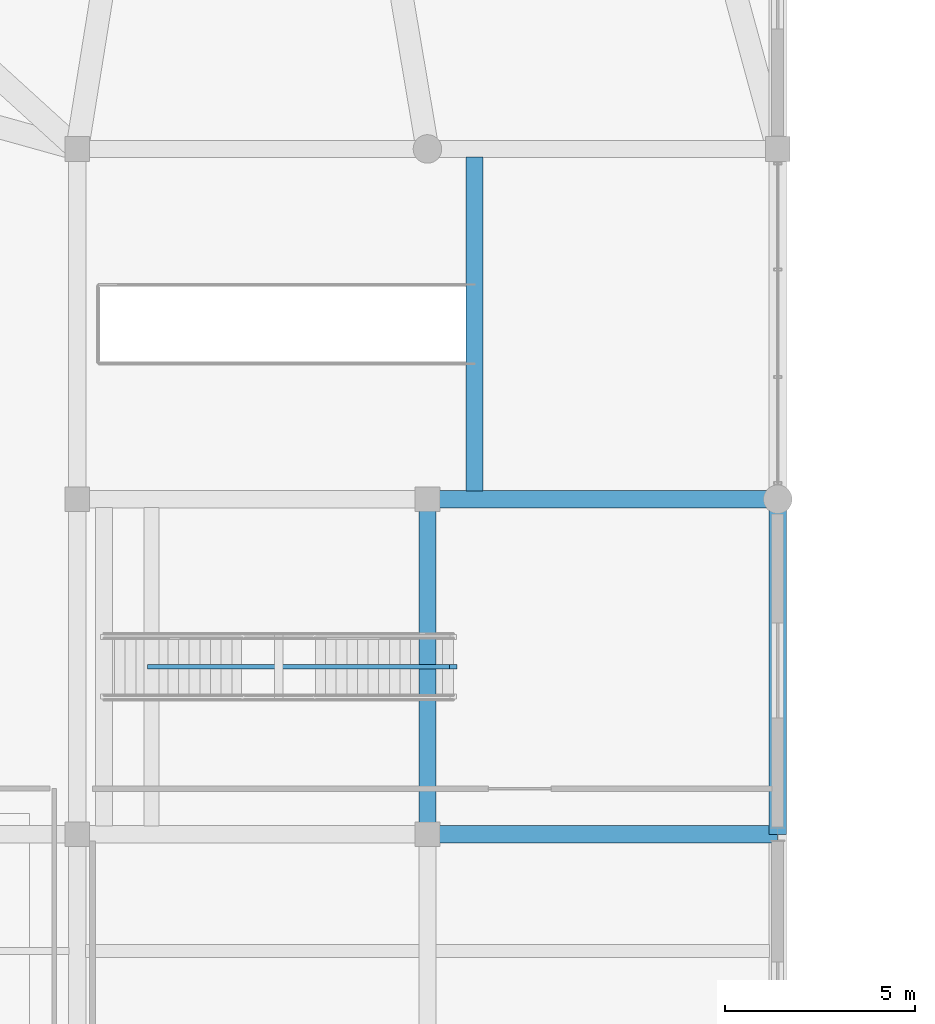
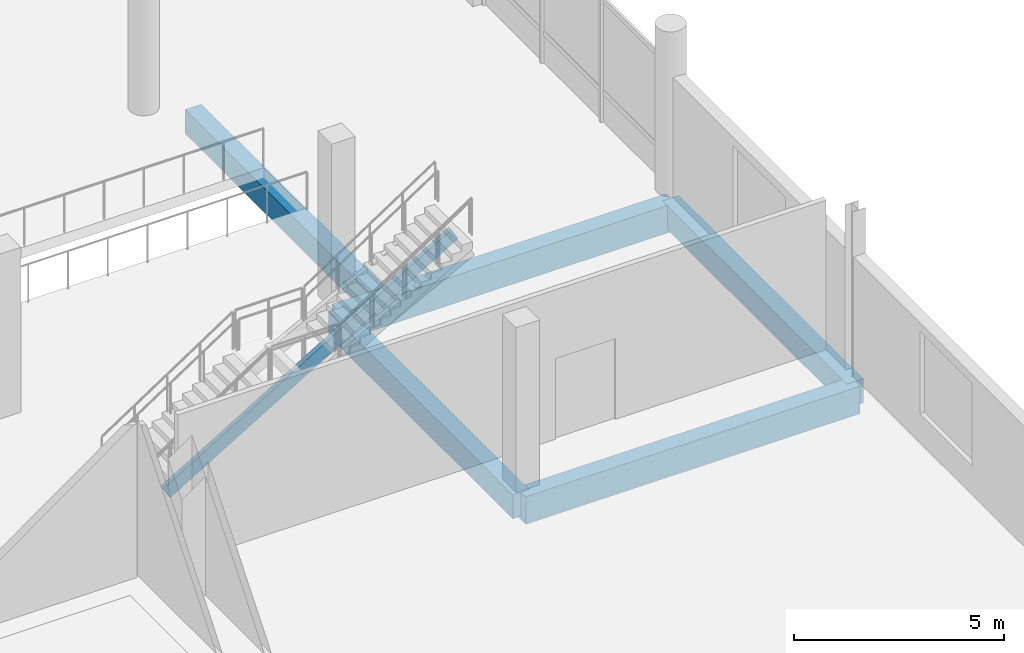
# One storey, part 20 of 71: 5 beams, 1 member.
"""IFC4 building model written with IfcOpenShell, lengths in metres."""

from ifc_helpers import new_model, si_unit, direction, frame, origin, origin_2d, place, context, subcontext, project, spatial, rectangle, extrude, material, material_profile, profile_set, type_object, element, save


model = new_model("IFC4")

# Units and contexts
model_context = context("Model", 3, precision=1e-05, world=origin(), true_north=direction((0.0, 1.0)))
body_context = subcontext(model_context, "Body", "Model", "MODEL_VIEW")
ifc_project = project(units=[si_unit("LENGTHUNIT", "METRE"), si_unit("AREAUNIT", "SQUARE_METRE"), si_unit("VOLUMEUNIT", "CUBIC_METRE"), si_unit("PLANEANGLEUNIT", "RADIAN"), si_unit("MASSUNIT", "GRAM", prefix="KILO")], contexts=[model_context])

# Site, building, storey
site_placement = place(None, origin())
site = spatial("IfcSite", under=ifc_project, at=site_placement, CompositionType="ELEMENT")
building_placement = place(site_placement, origin())
building = spatial("IfcBuilding", under=site, at=building_placement, Name="Meriwether Solvik Hall", CompositionType="ELEMENT")
storey_placement = place(building_placement, frame((0.0, 0.0, 5.10009765625)))
storey = spatial("IfcBuildingStorey", under=building, at=storey_placement, Name="L01", CompositionType="ELEMENT", Elevation=5.10009765625)

# Beams
ifc_material_1 = material(Name="Concrete C40/50", Category="concrete")
ifc_material_profile_1 = material_profile(ifc_material_1, rectangle(XDim=0.449951171875, YDim=0.699951171875, at=origin_2d()), Name="RCB-450X700")
ifc_profile_set_1 = profile_set([ifc_material_profile_1], Name="Concrete C40/50")
beam_type_1 = type_object("IfcBeamType", Name="BM-RC-450X700", PredefinedType="BEAM", material=ifc_profile_set_1)
for number, where, z_axis, x_axis, name in (
    (1, (105.0, 23.199951171875, -0.650146484375), (0.0, 1.0, 0.0), (-1.0, 0.0, 0.0), "Podium Girder 12:C-D (L01)"),
    (2, (114.199951171875, 23.199951171875, -0.650146484375), (0.0, 1.0, 0.0), (-1.0, 0.0, 0.0), "Podium Girder 13:C-D (L01)"),
):
    element("IfcBeam", number, at=place(storey_placement, frame(where, z_axis=z_axis, x_axis=x_axis)), inside=storey, type_object=beam_type_1, Name=name, PredefinedType="BEAM", context=body_context, shape_type="SweptSolid", body=[
        extrude(rectangle(XDim=0.449951171875, YDim=0.699951171875, at=origin_2d()), origin(), (0.0, 0.0, 1.0), 8.800048828125),
    ])
beam_placement = place(storey_placement, frame((106.239990234375, 32.215087890625, -0.650146484375), z_axis=(0.0, 1.0, 0.0), x_axis=(-1.0, 0.0, 0.0)))
element("IfcBeam", 3, at=beam_placement, inside=storey, type_object=beam_type_1, Name="Stair ST-AT1 Top Trimmer Beam", PredefinedType="BEAM", context=body_context, shape_type="SweptSolid", body=[
    extrude(rectangle(XDim=0.449951171875, YDim=0.699951171875, at=origin_2d()), origin(), (0.0, 0.0, 1.0), 8.77001953125),
])
ifc_material_2 = material(Name="Concrete C40/50", Category="concrete")
ifc_material_profile_2 = material_profile(ifc_material_2, rectangle(XDim=0.449951171875, YDim=0.800048828125, at=origin_2d()), Name="RCB-450X800")
ifc_profile_set_2 = profile_set([ifc_material_profile_2], Name="Concrete C40/50")
beam_type_2 = type_object("IfcBeamType", Name="BM-RC-450X800", PredefinedType="BEAM", material=ifc_profile_set_2)
for number, where, z_axis, x_axis, name in (
    (4, (105.0, 23.199951171875, -0.7001953125), (1.0, 0.0, 0.0), (0.0, 1.0, 0.0), "Podium Girder C:12-13 (L01)"),
    (5, (105.0, 32.0, -0.7001953125), (1.0, 0.0, 0.0), (0.0, 1.0, 0.0), "Podium Girder D:12-13 (L01)"),
):
    element("IfcBeam", number, at=place(storey_placement, frame(where, z_axis=z_axis, x_axis=x_axis)), inside=storey, type_object=beam_type_2, Name=name, PredefinedType="BEAM", context=body_context, shape_type="SweptSolid", body=[
        extrude(rectangle(XDim=0.449951171875, YDim=0.800048828125, at=origin_2d()), origin(), (0.0, 0.0, 1.0), 9.199951171875),
    ])

# Member
ifc_material_3 = material(Name="Glulam Douglas-Fir 24F-V8 GL28h", Category="wood")
ifc_material_profile_3 = material_profile(ifc_material_3, rectangle(XDim=0.1298828125, YDim=0.3798828125, at=origin_2d()), Name="GLM-130X380")
ifc_profile_set_3 = profile_set([ifc_material_profile_3], Name="Glulam Douglas-Fir 24F-V8 GL28h")
member_type = type_object("IfcMemberType", Name="MEM-STR-GL130", PredefinedType="STRINGER", material=ifc_profile_set_3)
member_placement = place(storey_placement, frame((97.75048828125, 27.60009765625, -0.420166015625), z_axis=(0.856903395354, 0.0, 0.515477032496), x_axis=(0.0, 1.0, 0.0)))
element("IfcMember", 6, at=member_placement, inside=storey, type_object=member_type, Name="Stair ST-AT2 Glulam Stringer C", PredefinedType="STRINGER", context=body_context, shape_type="SweptSolid", body=[
    extrude(rectangle(XDim=0.1298828125, YDim=0.3798828125, at=origin_2d()), origin(), (0.0, 0.0, 1.0), 9.253662109375),
])

save(model, "model.ifc")
